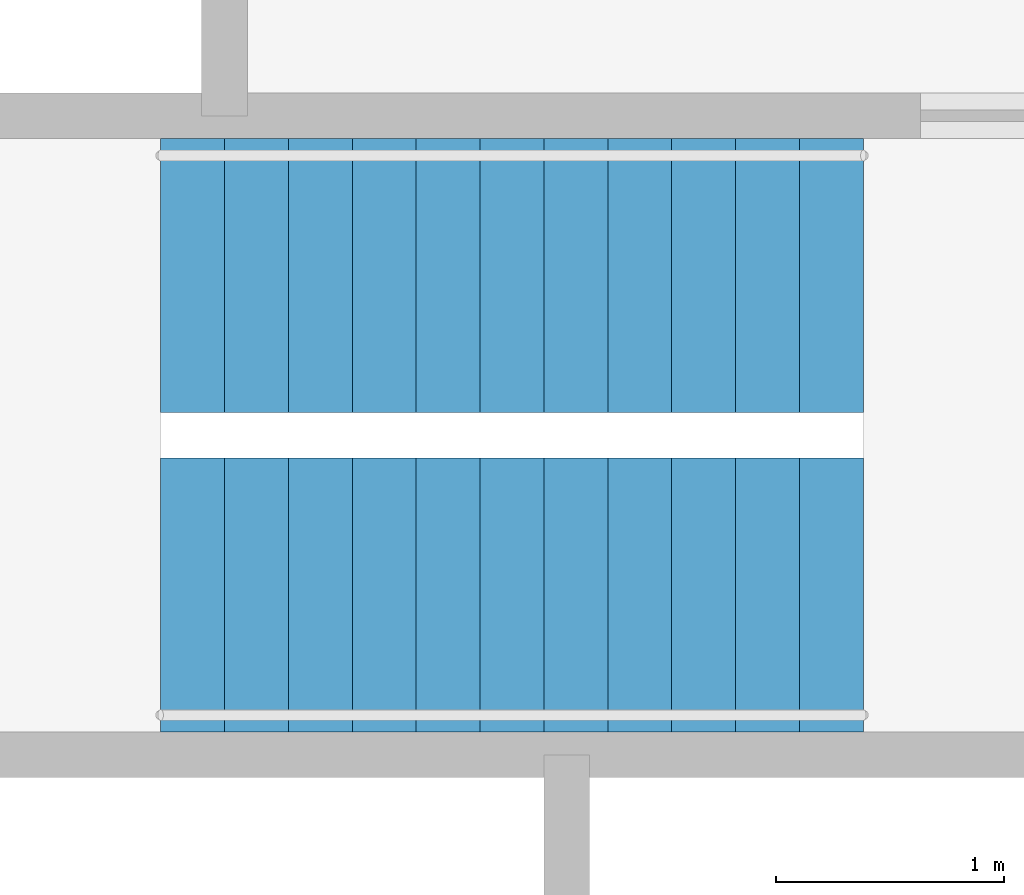
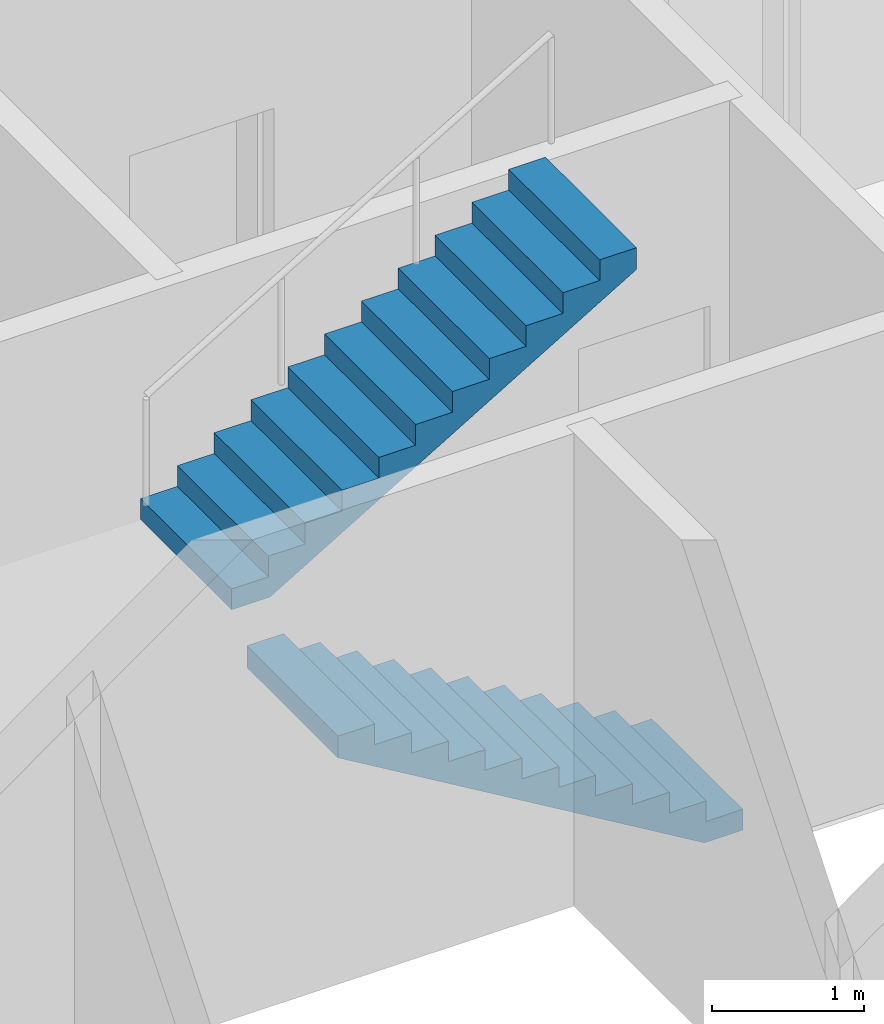
# One storey, part 12 of 14: 2 stair flights, 1 element without a shape of its own.
"""IFC4 building model written with IfcOpenShell, lengths in metres."""

from ifc_helpers import new_model, si_unit, direction, frame, origin, place, context, subcontext, project, spatial, polyline, outline, extrude, material, type_object, element, aggregate, save


model = new_model("IFC4")

# Units and contexts
model_context = context("Model", 3, precision=1e-05, world=origin(), true_north=direction((0.0, 1.0)))
body_context = subcontext(model_context, "Body", "Model", "MODEL_VIEW")
ifc_project = project(units=[si_unit("LENGTHUNIT", "METRE"), si_unit("AREAUNIT", "SQUARE_METRE"), si_unit("VOLUMEUNIT", "CUBIC_METRE"), si_unit("PLANEANGLEUNIT", "RADIAN"), si_unit("MASSUNIT", "GRAM", prefix="KILO")], contexts=[model_context])

# Site, building, storey
site_placement = place(None, origin())
site = spatial("IfcSite", under=ifc_project, at=site_placement, CompositionType="ELEMENT")
building_placement = place(site_placement, origin())
building = spatial("IfcBuilding", under=site, at=building_placement, Name="Fenwick Lantern Interchange", CompositionType="ELEMENT")
storey_placement = place(building_placement, frame((0.0, 0.0, 122.39990234375)))
storey = spatial("IfcBuildingStorey", under=building, at=storey_placement, Name="L28", CompositionType="ELEMENT", Elevation=122.39990234375)

# Stair, stair flights
ifc_material = material(Name="Precast concrete f'c 35 MPa", Category="concrete")
stair_type = type_object("IfcStairType", Name="EXIT STAIR 1200", PredefinedType="HALF_TURN_STAIR", material=ifc_material)
stair_placement = place(storey_placement, origin())
stair = element("IfcStair", 1, at=stair_placement, inside=storey, type_object=stair_type, Name="Exit stair ST2", PredefinedType="HALF_TURN_STAIR")
stair_flight_type = type_object("IfcStairFlightType", Name="STAIR FLIGHT 1200", PredefinedType="STRAIGHT", material=ifc_material)
stair_flight_1_placement = place(storey_placement, frame((28.199951171875, 30.699951171875, 0.0), z_axis=(0.0, 0.0, 1.0), x_axis=(-1.0, 0.0, 0.0)))
stair_flight_1 = element("IfcStairFlight", 2, at=stair_flight_1_placement, type_object=stair_flight_type, Name="ST2 flight 1", NumberOfRisers=12, NumberOfTreads=11, PredefinedType="STRAIGHT", RiserHeight=0.166666667, TreadLength=0.28, context=body_context, shape_type="SweptSolid", body=[
    extrude(outline(polyline([(0.0, 0.0), (0.0, 0.166748046875), (0.280029296875, 0.166748046875), (0.280029296875, 0.333251953125), (0.56005859375, 0.333251953125), (0.56005859375, 0.5), (0.840087890625, 0.5), (0.840087890625, 0.666748046875), (1.1201171875, 0.666748046875), (1.1201171875, 0.833251953125), (1.39990234375, 0.833251953125), (1.39990234375, 1.0), (1.679931640625, 1.0), (1.679931640625, 1.166748046875), (1.9599609375, 1.166748046875), (1.9599609375, 1.333251953125), (2.239990234375, 1.333251953125), (2.239990234375, 1.5), (2.52001953125, 1.5), (2.52001953125, 1.666748046875), (2.800048828125, 1.666748046875), (2.800048828125, 1.833251953125), (3.080078125, 1.833251953125), (3.080078125, 2.0), (3.080078125, 1.658935546875), (0.29296875, 0.0), (0.0, 0.0)])), frame((0.0, 0.60009765625, 0.0), z_axis=(0.0, -1.0, 0.0), x_axis=(1.0, 0.0, 0.0)), (0.0, 0.0, 1.0), 1.199951171875),
])
stair_flight_2_placement = place(storey_placement, frame((25.1201171875, 32.10009765625, 2.0), z_axis=(0.0, 0.0, 1.0), x_axis=(1.0, 0.0, 0.0)))
stair_flight_2 = element("IfcStairFlight", 3, at=stair_flight_2_placement, type_object=stair_flight_type, Name="ST2 flight 2", NumberOfRisers=12, NumberOfTreads=11, PredefinedType="STRAIGHT", RiserHeight=0.166666667, TreadLength=0.28, context=body_context, shape_type="SweptSolid", body=[
    extrude(outline(polyline([(0.0, 0.0), (0.0, 0.166748046875), (0.280029296875, 0.166748046875), (0.280029296875, 0.333251953125), (0.56005859375, 0.333251953125), (0.56005859375, 0.5), (0.840087890625, 0.5), (0.840087890625, 0.666748046875), (1.1201171875, 0.666748046875), (1.1201171875, 0.833251953125), (1.39990234375, 0.833251953125), (1.39990234375, 1.0), (1.679931640625, 1.0), (1.679931640625, 1.166748046875), (1.9599609375, 1.166748046875), (1.9599609375, 1.333251953125), (2.239990234375, 1.333251953125), (2.239990234375, 1.5), (2.52001953125, 1.5), (2.52001953125, 1.666748046875), (2.800048828125, 1.666748046875), (2.800048828125, 1.833251953125), (3.080078125, 1.833251953125), (3.080078125, 2.0), (3.080078125, 1.658935546875), (0.29296875, 0.0), (0.0, 0.0)])), frame((0.0, 0.60009765625, 0.0), z_axis=(0.0, -1.0, 0.0), x_axis=(1.0, 0.0, 0.0)), (0.0, 0.0, 1.0), 1.199951171875),
])
aggregate(stair, [stair_flight_1, stair_flight_2])

save(model, "model.ifc")
